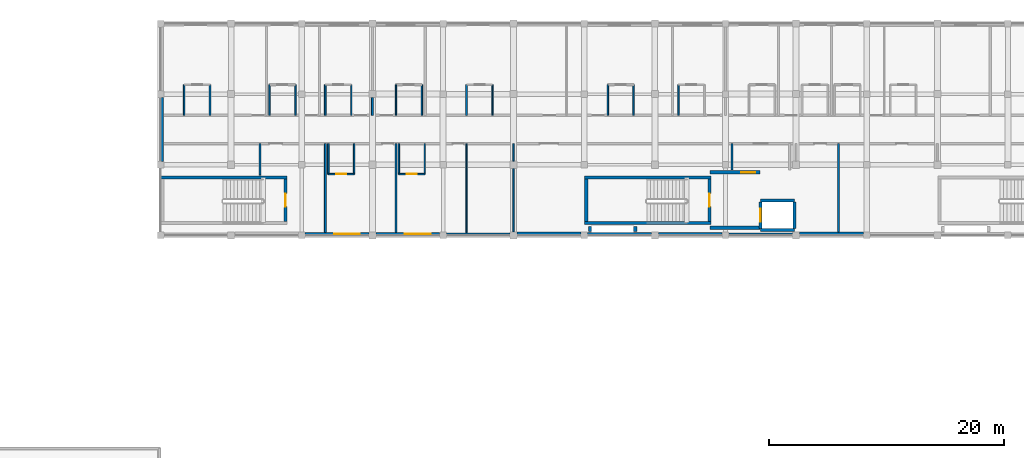
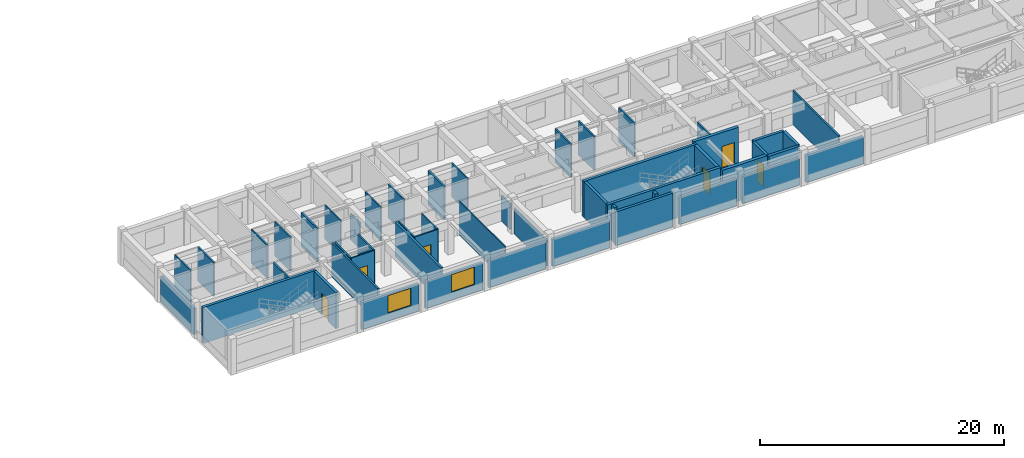
# One storey, part 6 of 25: 51 walls, 6 doors, 2 windows, 8 openings.
"""IFC4 building model written with IfcOpenShell, lengths in metres."""

import ifcopenshell
import ifcopenshell.guid

model = None  # the IFC model being written
_history = None  # IfcOwnerHistory: only IFC2X3 demands one
_inside = {}  # id of a spatial element -> (the spatial element, [elements in it])
_under = {}  # id of a project, library or spatial element -> (it, [spatial elements below it])
_declared = {}  # id of a project -> (the project, [libraries it declares])
_typed = {}  # id of a type object -> (the type object, [elements of that type])
_made_of = {}  # id of a material, layer set ... -> (it, [elements and type objects made of it])


def new_model(schema):
    """Start an empty IFC model of exactly this schema.

    Asked for "IFC4X3", IfcOpenShell would pick the latest addendum, in which some entities
    have other attributes; the version numbers below select the first issue.
    IFC2X3 requires an IfcOwnerHistory on every rooted entity: one is made here for all.
    """
    global model, _history
    if schema == "IFC4X3":
        model = ifcopenshell.file(schema_version=(4, 3, 0, 0))
    else:
        model = ifcopenshell.file(schema=schema)
    _inside.clear()
    _under.clear()
    _declared.clear()
    _typed.clear()
    _made_of.clear()
    _history = None
    if model.schema == "IFC2X3":
        org = make("IfcOrganization", Name="unknown")
        user = make(
            "IfcPersonAndOrganization",
            ThePerson=make("IfcPerson", FamilyName="unknown"),
            TheOrganization=org,
        )
        app = make(
            "IfcApplication",
            ApplicationDeveloper=org,
            Version="unknown",
            ApplicationFullName="unknown",
            ApplicationIdentifier="unknown",
        )
        _history = make(
            "IfcOwnerHistory",
            OwningUser=user,
            OwningApplication=app,
            ChangeAction="ADDED",
            CreationDate=0,
        )
    return model


def make(cls, **values):
    """One entity of the class cls with the attributes given. An attribute that is None is left unset."""
    return model.create_entity(
        cls, **{name: value for name, value in values.items() if value is not None}
    )


def rooted(cls, **values):
    """An entity with a GlobalId (a new one), such as an element, a storey or a relation."""
    return make(cls, GlobalId=ifcopenshell.guid.new(), OwnerHistory=_history, **values)


def si_unit(unit_type, name, prefix=None):
    """IfcSIUnit, for example si_unit("LENGTHUNIT", "METRE", prefix="MILLI")."""
    return make("IfcSIUnit", UnitType=unit_type, Prefix=prefix, Name=name)


def assignment(units):
    """IfcUnitAssignment: the units of a project."""
    return None if units is None else make("IfcUnitAssignment", Units=units)


def point(xyz):
    """IfcCartesianPoint."""
    return None if xyz is None else make("IfcCartesianPoint", Coordinates=xyz)


def direction(xyz):
    """IfcDirection."""
    return None if xyz is None else make("IfcDirection", DirectionRatios=xyz)


def frame(location, z_axis=None, x_axis=None):
    """IfcAxis2Placement3D, a coordinate frame: its origin and axes. An axis left out is left unset."""
    return make(
        "IfcAxis2Placement3D",
        Location=point(location),
        Axis=direction(z_axis),
        RefDirection=direction(x_axis),
    )


def frame_2d(location, x_axis=None):
    """IfcAxis2Placement2D, a coordinate frame in the plane: its origin and x axis."""
    return make(
        "IfcAxis2Placement2D", Location=point(location), RefDirection=direction(x_axis)
    )


def origin():
    """The frame at (0, 0, 0) with its axes left unset."""
    return frame((0.0, 0.0, 0.0))


def place(relative_to, where):
    """IfcLocalPlacement: puts the frame where relative to a parent placement (None: the world)."""
    return make(
        "IfcLocalPlacement", PlacementRelTo=relative_to, RelativePlacement=where
    )


def context(
    kind, dimensions, precision=None, world=None, true_north=None, identifier=None
):
    """IfcGeometricRepresentationContext, for example the 3D "Model" context."""
    return make(
        "IfcGeometricRepresentationContext",
        ContextIdentifier=identifier,
        ContextType=kind,
        CoordinateSpaceDimension=dimensions,
        Precision=precision,
        WorldCoordinateSystem=world,
        TrueNorth=true_north,
    )


def subcontext(parent, identifier, kind, view, scale=None):
    """IfcGeometricRepresentationSubContext, for example "Body" below "Model"."""
    return make(
        "IfcGeometricRepresentationSubContext",
        ContextIdentifier=identifier,
        ContextType=kind,
        ParentContext=parent,
        TargetScale=scale,
        TargetView=view,
    )


def project(units=None, contexts=None):
    """IfcProject with its units and contexts."""
    return rooted(
        "IfcProject",
        Name="project",
        RepresentationContexts=contexts,
        UnitsInContext=assignment(units),
    )


def spatial(cls, under=None, at=None, **own):
    """A site, building, storey or space (cls), placed at a placement, below another one or the project."""
    s = rooted(cls, ObjectPlacement=at, **own)
    if under is not None:
        _under.setdefault(under.id(), (under, []))[1].append(s)
    return s


def profile(cls, at=None, kind="AREA", **sizes):
    """A parametric profile (cls). Its sizes go by their IFC names, for example OverallWidth=200.0."""
    return make(cls, ProfileType=kind, Position=at, **sizes)


def rectangle(**sizes):
    """IfcRectangleProfileDef."""
    return profile("IfcRectangleProfileDef", **sizes)


def extrude(swept, where, along, depth):
    """IfcExtrudedAreaSolid: the profile swept, set in the frame where, extruded along a direction by depth."""
    return make(
        "IfcExtrudedAreaSolid",
        SweptArea=swept,
        Position=where,
        ExtrudedDirection=direction(along),
        Depth=depth,
    )


def shape(context_of_items, identifier, shape_type, items):
    """IfcShapeRepresentation: the items that make up one representation, for example the "Body"."""
    return make(
        "IfcShapeRepresentation",
        ContextOfItems=context_of_items,
        RepresentationIdentifier=identifier,
        RepresentationType=shape_type,
        Items=items,
    )


def material(Name=None, Category=None):
    """IfcMaterial."""
    return make("IfcMaterial", Name=Name, Category=Category)


def layer(
    of_material, thickness, ventilated=None, Name=None, Category=None, Priority=None
):
    """IfcMaterialLayer: one layer of a wall or slab, of a material (None: an air gap)."""
    return make(
        "IfcMaterialLayer",
        Material=of_material,
        LayerThickness=thickness,
        IsVentilated=ventilated,
        Name=Name,
        Category=Category,
        Priority=Priority,
    )


def layer_set(layers, Name=None):
    """IfcMaterialLayerSet."""
    return make("IfcMaterialLayerSet", MaterialLayers=layers, LayerSetName=Name)


def made_of(thing, what):
    """Note that an element or type object is made of a material, layer set ...; save() writes the relation."""
    if what is not None:
        _made_of.setdefault(what.id(), (what, []))[1].append(thing)
    return thing


def type_object(cls, material=None, **own):
    """A type object (cls), such as IfcWallType, which elements share."""
    return made_of(rooted(cls, **own), material)


def element(
    cls,
    number,
    at=None,
    inside=None,
    cuts=None,
    type_object=None,
    material=None,
    context=None,
    identifier="Body",
    shape_type=None,
    held_by="IfcProductDefinitionShape",
    body=None,
    shapes=None,
    **own,
):
    """One element of the class cls, such as IfcWall. Its Tag is "e" and its number.

    at: its placement. inside: the storey or other place that contains it. cuts: it is an
    opening in that element (IfcRelVoidsElement). A single representation is given by context,
    identifier, shape_type and body (its items); several are given by shapes. held_by: the class
    of the entity that holds the representations. save() writes the other relations.
    """
    e = rooted(cls, Tag="e%d" % number, ObjectPlacement=at, **own)
    if body is not None:
        shapes = [shape(context, identifier, shape_type, body)]
    if shapes is not None:
        e.Representation = make(held_by, Representations=shapes)
    if inside is not None:
        _inside.setdefault(inside.id(), (inside, []))[1].append(e)
    if cuts is not None:
        rooted(
            "IfcRelVoidsElement", RelatingBuildingElement=cuts, RelatedOpeningElement=e
        )
    if type_object is not None:
        _typed.setdefault(type_object.id(), (type_object, []))[1].append(e)
    return made_of(e, material)


def fill(opening, filler):
    """IfcRelFillsElement: the door or window that sits in an opening."""
    return rooted(
        "IfcRelFillsElement",
        RelatingOpeningElement=opening,
        RelatedBuildingElement=filler,
    )


def aggregate(whole, parts):
    """IfcRelAggregates: a whole, such as a stair, and the parts it consists of."""
    return rooted("IfcRelAggregates", RelatingObject=whole, RelatedObjects=parts)


def save(model, path):
    """Write the relations noted so far, then the file.

    IfcRelAggregates (storeys below a building ...), IfcRelContainedInSpatialStructure (elements
    in a storey), IfcRelDefinesByType, IfcRelAssociatesMaterial and IfcRelDeclares: one each for
    every whole, place, type object, material and project.
    """
    for whole, parts in _under.values():
        aggregate(whole, parts)
    for where, things in _inside.values():
        rooted(
            "IfcRelContainedInSpatialStructure",
            RelatedElements=things,
            RelatingStructure=where,
        )
    for kind, things in _typed.values():
        rooted("IfcRelDefinesByType", RelatedObjects=things, RelatingType=kind)
    for what, things in _made_of.values():
        rooted("IfcRelAssociatesMaterial", RelatedObjects=things, RelatingMaterial=what)
    for by, libraries in _declared.values():
        rooted("IfcRelDeclares", RelatingContext=by, RelatedDefinitions=libraries)
    model.write(path)


model = new_model("IFC4")

# Units and contexts
model_context = context("Model", 3, precision=1e-05, world=origin(), true_north=direction((0.0, 1.0)))
body_context = subcontext(model_context, "Body", "Model", "MODEL_VIEW")
ifc_project = project(units=[si_unit("LENGTHUNIT", "METRE"), si_unit("AREAUNIT", "SQUARE_METRE"), si_unit("VOLUMEUNIT", "CUBIC_METRE"), si_unit("PLANEANGLEUNIT", "RADIAN"), si_unit("MASSUNIT", "GRAM", prefix="KILO"), si_unit("THERMODYNAMICTEMPERATUREUNIT", "KELVIN"), si_unit("POWERUNIT", "WATT")], contexts=[model_context])

# Site, building, storey
site_placement = place(None, origin())
site = spatial("IfcSite", under=ifc_project, at=site_placement, CompositionType="ELEMENT")
building_placement = place(site_placement, origin())
building = spatial("IfcBuilding", under=site, at=building_placement, Name="Phaisarnlok Congress Hotel", CompositionType="ELEMENT")
storey_placement = place(building_placement, frame((0.0, 0.0, 24.60009765625)))
storey = spatial("IfcBuildingStorey", under=building, at=storey_placement, Name="L05", CompositionType="ELEMENT", Elevation=24.60009765625)

# Walls
ifc_material_1 = material(Name="Concrete C40/50", Category="concrete")
ifc_layer_1 = layer(ifc_material_1, 0.2099609375, Name="Concrete C40/50")
ifc_layer_set_1 = layer_set([ifc_layer_1], Name="Concrete C40/50")
wall_type_1 = type_object("IfcWallType", Name="WL-EXT-210", PredefinedType="SOLIDWALL", material=ifc_layer_set_1)
for number, where, z_axis, x_axis, name in (
    (1, (90.280029296875, 108.10498046875, 0.0), (0.0, 0.0, 1.0), (1.0, 0.0, 0.0), "Exterior wall EW-07 (L05)"),
    (2, (114.280029296875, 108.10498046875, 0.0), (0.0, 0.0, 1.0), (1.0, 0.0, 0.0), "Exterior wall EW-07 (L05)"),
):
    element("IfcWall", number, at=place(storey_placement, frame(where, z_axis=z_axis, x_axis=x_axis)), inside=storey, type_object=wall_type_1, Name=name, PredefinedType="SOLIDWALL", context=body_context, shape_type="SweptSolid", body=[
        extrude(rectangle(XDim=5.4150390625, YDim=0.2099609375, at=frame_2d((2.70751953125, 0.0))), origin(), (0.0, 0.0, 1.0), 2.72998046875),
    ])

# Wall, opening, window
ifc_layer_2 = layer(ifc_material_1, 0.22998046875, Name="Concrete C40/50")
ifc_layer_set_2 = layer_set([ifc_layer_2], Name="Concrete C40/50")
wall_type_2 = type_object("IfcWallType", Name="WL-EXT-230", PredefinedType="SOLIDWALL", material=ifc_layer_set_2)
wall_1_placement = place(storey_placement, frame((84.304931640625, 108.114990234375, 0.0), z_axis=(0.0, 0.0, 1.0), x_axis=(1.0, 0.0, 0.0)))
wall_1 = element("IfcWall", 3, at=wall_1_placement, inside=storey, type_object=wall_type_2, Name="Exterior wall EW-06 (L05)", PredefinedType="SOLIDWALL", context=body_context, shape_type="SweptSolid", body=[
    extrude(rectangle(XDim=5.4150390625, YDim=0.22998046875, at=frame_2d((2.70751953125, 0.0))), origin(), (0.0, 0.0, 1.0), 2.72998046875),
])
opening_1_placement = place(wall_1_placement, frame((2.445068359375, 0.0, 0.800048828125)))
opening_1 = element("IfcOpeningElement", 4, at=opening_1_placement, cuts=wall_1, Name="Opening W-02", PredefinedType="OPENING", context=body_context, shape_type="SweptSolid", body=[
    extrude(rectangle(XDim=2.199951171875, YDim=1.75, at=frame_2d((1.10009765625, 0.875))), frame((0.0, 0.125, 0.0), z_axis=(0.0, -1.0, 0.0), x_axis=(1.0, 0.0, 0.0)), (0.0, 0.0, 1.0), 0.25),
])
ifc_material_2 = material(Name="Thermally Broken Aluminium & Low-E Double Glazing", Category="aluminium")
window_type = type_object("IfcWindowType", Name="WIN-HOTEL-2200", PartitioningType="SINGLE_PANEL", PredefinedType="WINDOW", material=ifc_material_2)
window_1_placement = place(opening_1_placement, origin())
window_1 = element("IfcWindow", 5, at=window_1_placement, inside=storey, type_object=window_type, Name="Guestroom window W-02 (L05)", OverallHeight=1.75, OverallWidth=2.199951171875, PartitioningType="SINGLE_PANEL", PredefinedType="WINDOW", context=body_context, shape_type="SweptSolid", body=[
    extrude(rectangle(XDim=2.199951171875, YDim=1.75, at=frame_2d((1.10009765625, 0.875))), frame((0.0, 0.030029296875, 0.0), z_axis=(0.0, -1.0, 0.0), x_axis=(1.0, 0.0, 0.0)), (0.0, 0.0, 1.0), 0.06005859375),
])
fill(opening_1, window_1)

# Walls
wall_2_placement = place(storey_placement, frame((108.304931640625, 108.114990234375, 0.0), z_axis=(0.0, 0.0, 1.0), x_axis=(1.0, 0.0, 0.0)))
element("IfcWall", 6, at=wall_2_placement, inside=storey, type_object=wall_type_2, Name="Exterior wall EW-06 (L05)", PredefinedType="SOLIDWALL", context=body_context, shape_type="SweptSolid", body=[
    extrude(rectangle(XDim=5.4150390625, YDim=0.22998046875, at=frame_2d((2.70751953125, 0.0))), origin(), (0.0, 0.0, 1.0), 2.72998046875),
])
ifc_layer_3 = layer(ifc_material_1, 0.25, Name="Concrete C40/50")
ifc_layer_set_3 = layer_set([ifc_layer_3], Name="Concrete C40/50")
wall_type_3 = type_object("IfcWallType", Name="WL-EXT-250", PredefinedType="SOLIDWALL", material=ifc_layer_set_3)
wall_3_placement = place(storey_placement, frame((66.125, 119.719970703125, 0.0), z_axis=(0.0, 0.0, 1.0), x_axis=(0.0, -1.0, 0.0)))
element("IfcWall", 7, at=wall_3_placement, inside=storey, type_object=wall_type_3, Name="Exterior wall EW-05 (L05)", PredefinedType="SOLIDWALL", context=body_context, shape_type="SweptSolid", body=[
    extrude(rectangle(XDim=5.43994140625, YDim=0.25, at=frame_2d((2.719970703125, 0.0))), origin(), (0.0, 0.0, 1.0), 2.579833984375),
])

# Wall, opening, window
wall_4_placement = place(storey_placement, frame((78.280029296875, 108.125, 0.0), z_axis=(0.0, 0.0, 1.0), x_axis=(1.0, 0.0, 0.0)))
wall_4 = element("IfcWall", 8, at=wall_4_placement, inside=storey, type_object=wall_type_3, Name="Exterior wall EW-05 (L05)", PredefinedType="SOLIDWALL", context=body_context, shape_type="SweptSolid", body=[
    extrude(rectangle(XDim=5.4150390625, YDim=0.25, at=frame_2d((2.70751953125, 0.0))), origin(), (0.0, 0.0, 1.0), 2.72998046875),
])
opening_2_placement = place(wall_4_placement, frame((2.4580078125, 0.0, 0.800048828125)))
opening_2 = element("IfcOpeningElement", 9, at=opening_2_placement, cuts=wall_4, Name="Opening W-02", PredefinedType="OPENING", context=body_context, shape_type="SweptSolid", body=[
    extrude(rectangle(XDim=2.199951171875, YDim=1.75, at=frame_2d((1.10009765625, 0.875))), frame((0.0, 0.135009765625, 0.0), z_axis=(0.0, -1.0, 0.0), x_axis=(1.0, 0.0, 0.0)), (0.0, 0.0, 1.0), 0.27001953125),
])
window_2_placement = place(opening_2_placement, origin())
window_2 = element("IfcWindow", 10, at=window_2_placement, inside=storey, type_object=window_type, Name="Guestroom window W-02 (L05)", OverallHeight=1.75, OverallWidth=2.199951171875, PartitioningType="SINGLE_PANEL", PredefinedType="WINDOW", context=body_context, shape_type="SweptSolid", body=[
    extrude(rectangle(XDim=2.199951171875, YDim=1.75, at=frame_2d((1.10009765625, 0.875))), frame((0.0, 0.030029296875, 0.0), z_axis=(0.0, -1.0, 0.0), x_axis=(1.0, 0.0, 0.0)), (0.0, 0.0, 1.0), 0.06005859375),
])
fill(opening_2, window_2)

# Walls
wall_5_placement = place(storey_placement, frame((102.280029296875, 108.125, 0.0), z_axis=(0.0, 0.0, 1.0), x_axis=(1.0, 0.0, 0.0)))
element("IfcWall", 11, at=wall_5_placement, inside=storey, type_object=wall_type_3, Name="Exterior wall EW-05 (L05)", PredefinedType="SOLIDWALL", context=body_context, shape_type="SweptSolid", body=[
    extrude(rectangle(XDim=5.4150390625, YDim=0.25, at=frame_2d((2.70751953125, 0.0))), origin(), (0.0, 0.0, 1.0), 3.3798828125),
])
ifc_layer_4 = layer(ifc_material_1, 0.27001953125, Name="Concrete C40/50")
ifc_layer_set_4 = layer_set([ifc_layer_4], Name="Concrete C40/50")
wall_type_4 = type_object("IfcWallType", Name="WL-EXT-270", PredefinedType="SOLIDWALL", material=ifc_layer_set_4)
for number, where, z_axis, x_axis, name in (
    (12, (96.304931640625, 108.135009765625, 0.0), (0.0, 0.0, 1.0), (1.0, 0.0, 0.0), "Exterior wall EW-04 (L05)"),
    (13, (120.304931640625, 108.135009765625, 0.0), (0.0, 0.0, 1.0), (1.0, 0.0, 0.0), "Exterior wall EW-04 (L05)"),
):
    element("IfcWall", number, at=place(storey_placement, frame(where, z_axis=z_axis, x_axis=x_axis)), inside=storey, type_object=wall_type_4, Name=name, PredefinedType="SOLIDWALL", context=body_context, shape_type="SweptSolid", body=[
        extrude(rectangle(XDim=5.4150390625, YDim=0.27001953125, at=frame_2d((2.70751953125, 0.0))), origin(), (0.0, 0.0, 1.0), 2.72998046875),
    ])
ifc_material_3 = material(Name="Service Riser Shaftwall Partition", Category="gypsum")
ifc_layer_5 = layer(ifc_material_3, 0.10498046875, Name="Service Riser Shaftwall Partition")
ifc_layer_set_5 = layer_set([ifc_layer_5], Name="Service Riser Shaftwall Partition")
wall_type_5 = type_object("IfcWallType", Name="WL-INT-105", PredefinedType="PARTITIONING", material=ifc_layer_set_5)
wall_6_placement = place(storey_placement, frame((86.0, 118.199951171875, 0.0), z_axis=(0.0, 0.0, 1.0), x_axis=(0.0, 1.0, 0.0)))
element("IfcWall", 14, at=wall_6_placement, inside=storey, type_object=wall_type_5, Name="Interior partition wall IW-08 (L05)", PredefinedType="PARTITIONING", context=body_context, shape_type="SweptSolid", body=[
    extrude(rectangle(XDim=2.60009765625, YDim=0.10498046875, at=frame_2d((1.300048828125, 0.0))), origin(), (0.0, 0.0, 1.0), 3.3798828125),
])
wall_7_placement = place(storey_placement, frame((92.0, 108.215087890625, 0.0), z_axis=(0.0, 0.0, 1.0), x_axis=(0.0, 1.0, 0.0)))
element("IfcWall", 15, at=wall_7_placement, inside=storey, type_object=wall_type_5, Name="Interior partition wall IW-08 (L05)", PredefinedType="PARTITIONING", context=body_context, shape_type="SweptSolid", body=[
    extrude(rectangle(XDim=7.5849609375, YDim=0.10498046875, at=frame_2d((3.79248046875, 0.0))), origin(), (0.0, 0.0, 1.0), 3.3798828125),
])
ifc_material_4 = material(Name="Lightweight Metal-Stud Gypsum Partition", Category="gypsum")
ifc_layer_6 = layer(ifc_material_4, 0.1201171875, Name="Lightweight Metal-Stud Gypsum Partition")
ifc_layer_set_6 = layer_set([ifc_layer_6], Name="Lightweight Metal-Stud Gypsum Partition")
wall_type_6 = type_object("IfcWallType", Name="WL-INT-120", PredefinedType="PARTITIONING", material=ifc_layer_set_6)
for number, where, z_axis, x_axis, name in (
    (16, (68.0, 118.199951171875, 0.0), (0.0, 0.0, 1.0), (0.0, 1.0, 0.0), "Interior partition wall IW-07 (L05)"),
    (17, (75.25, 118.199951171875, 0.0), (0.0, 0.0, 1.0), (0.0, 1.0, 0.0), "Interior partition wall IW-07 (L05)"),
    (18, (82.199951171875, 118.199951171875, 0.0), (0.0, 0.0, 1.0), (0.0, 1.0, 0.0), "Interior partition wall IW-07 (L05)"),
    (19, (86.25, 113.199951171875, 0.0), (0.0, 0.0, 1.0), (0.0, 1.0, 0.0), "Interior partition wall IW-07 (L05)"),
    (20, (88.449951171875, 113.199951171875, 0.0), (0.0, 0.0, 1.0), (0.0, 1.0, 0.0), "Interior partition wall IW-07 (L05)"),
    (21, (94.199951171875, 118.199951171875, 0.0), (0.0, 0.0, 1.0), (0.0, 1.0, 0.0), "Interior partition wall IW-07 (L05)"),
):
    element("IfcWall", number, at=place(storey_placement, frame(where, z_axis=z_axis, x_axis=x_axis)), inside=storey, type_object=wall_type_6, Name=name, PredefinedType="PARTITIONING", context=body_context, shape_type="SweptSolid", body=[
        extrude(rectangle(XDim=2.60009765625, YDim=0.1201171875, at=frame_2d((1.300048828125, 0.0))), origin(), (0.0, 0.0, 1.0), 3.3798828125),
    ])
wall_8_placement = place(storey_placement, frame((96.0, 114.304931640625, 0.0), z_axis=(0.0, 0.0, 1.0), x_axis=(0.0, 1.0, 0.0)))
element("IfcWall", 22, at=wall_8_placement, inside=storey, type_object=wall_type_6, Name="Interior partition wall IW-07 (L05)", PredefinedType="PARTITIONING", context=body_context, shape_type="SweptSolid", body=[
    extrude(rectangle(XDim=1.4951171875, YDim=0.1201171875, at=frame_2d((0.74755859375, 0.0))), origin(), (0.0, 0.0, 1.0), 2.579833984375),
])
wall_9_placement = place(storey_placement, frame((104.0, 118.199951171875, 0.0), z_axis=(0.0, 0.0, 1.0), x_axis=(0.0, 1.0, 0.0)))
element("IfcWall", 23, at=wall_9_placement, inside=storey, type_object=wall_type_6, Name="Interior partition wall IW-07 (L05)", PredefinedType="PARTITIONING", context=body_context, shape_type="SweptSolid", body=[
    extrude(rectangle(XDim=2.60009765625, YDim=0.1201171875, at=frame_2d((1.300048828125, 0.0))), origin(), (0.0, 0.0, 1.0), 3.3798828125),
])

# Wall, opening, door
wall_10_placement = place(storey_placement, frame((80.25, 113.199951171875, 0.0), z_axis=(0.0, 0.0, 1.0), x_axis=(1.0, 0.0, 0.0)))
wall_10 = element("IfcWall", 24, at=wall_10_placement, inside=storey, type_object=wall_type_6, Name="Interior partition wall IW-07 (L05)", PredefinedType="PARTITIONING", context=body_context, shape_type="SweptSolid", body=[
    extrude(rectangle(XDim=2.199951171875, YDim=0.1201171875, at=frame_2d((1.10009765625, 0.0))), origin(), (0.0, 0.0, 1.0), 3.3798828125),
])
opening_3_placement = place(wall_10_placement, frame((0.675048828125, 0.0, 0.0)))
opening_3 = element("IfcOpeningElement", 25, at=opening_3_placement, cuts=wall_10, Name="Opening D-0181", PredefinedType="OPENING", context=body_context, shape_type="SweptSolid", body=[
    extrude(rectangle(XDim=0.85009765625, YDim=2.10009765625, at=frame_2d((0.425048828125, 1.050048828125))), frame((0.0, 0.070068359375, 0.0), z_axis=(0.0, -1.0, 0.0), x_axis=(1.0, 0.0, 0.0)), (0.0, 0.0, 1.0), 0.14013671875),
])
ifc_material_5 = material(Name="Moisture-Resistant Lacquered Timber", Category="wood")
door_type_1 = type_object("IfcDoorType", Name="DR-BATH-850", OperationType="NOTDEFINED", PredefinedType="DOOR", material=ifc_material_5)
door_1_placement = place(opening_3_placement, origin())
door_1 = element("IfcDoor", 26, at=door_1_placement, inside=storey, type_object=door_type_1, Name="Interior door D-0181 (L05)", OperationType="SINGLE_SWING_LEFT", OverallHeight=2.10009765625, OverallWidth=0.85009765625, PredefinedType="DOOR", context=body_context, shape_type="SweptSolid", body=[
    extrude(rectangle(XDim=0.85009765625, YDim=2.10009765625, at=frame_2d((0.425048828125, 1.050048828125))), frame((0.0, 0.02490234375, 0.0), z_axis=(0.0, -1.0, 0.0), x_axis=(1.0, 0.0, 0.0)), (0.0, 0.0, 1.0), 0.050048828125),
])
fill(opening_3, door_1)

# Walls
ifc_material_6 = material(Name="Moisture-Resistant Gypsum Partition", Category="gypsum")
ifc_layer_7 = layer(ifc_material_6, 0.135009765625, Name="Moisture-Resistant Gypsum Partition")
ifc_layer_set_7 = layer_set([ifc_layer_7], Name="Moisture-Resistant Gypsum Partition")
wall_type_7 = type_object("IfcWallType", Name="WL-INT-135", PredefinedType="PARTITIONING", material=ifc_layer_set_7)
for number, where, z_axis, x_axis, name in (
    (27, (70.199951171875, 118.199951171875, 0.0), (0.0, 0.0, 1.0), (0.0, 1.0, 0.0), "Interior partition wall IW-06 (L05)"),
    (28, (77.449951171875, 118.199951171875, 0.0), (0.0, 0.0, 1.0), (0.0, 1.0, 0.0), "Interior partition wall IW-06 (L05)"),
    (29, (80.25, 113.199951171875, 0.0), (0.0, 0.0, 1.0), (0.0, 1.0, 0.0), "Interior partition wall IW-06 (L05)"),
    (30, (82.449951171875, 113.199951171875, 0.0), (0.0, 0.0, 1.0), (0.0, 1.0, 0.0), "Interior partition wall IW-06 (L05)"),
    (31, (88.199951171875, 118.199951171875, 0.0), (0.0, 0.0, 1.0), (0.0, 1.0, 0.0), "Interior partition wall IW-06 (L05)"),
):
    element("IfcWall", number, at=place(storey_placement, frame(where, z_axis=z_axis, x_axis=x_axis)), inside=storey, type_object=wall_type_7, Name=name, PredefinedType="PARTITIONING", context=body_context, shape_type="SweptSolid", body=[
        extrude(rectangle(XDim=2.60009765625, YDim=0.135009765625, at=frame_2d((1.300048828125, 0.0))), origin(), (0.0, 0.0, 1.0), 3.3798828125),
    ])
wall_11_placement = place(storey_placement, frame((96.0, 108.304931640625, 0.0), z_axis=(0.0, 0.0, 1.0), x_axis=(0.0, 1.0, 0.0)))
element("IfcWall", 32, at=wall_11_placement, inside=storey, type_object=wall_type_7, Name="Interior partition wall IW-06 (L05)", PredefinedType="PARTITIONING", context=body_context, shape_type="SweptSolid", body=[
    extrude(rectangle(XDim=5.39013671875, YDim=0.135009765625, at=frame_2d((2.695068359375, 0.0))), origin(), (0.0, 0.0, 1.0), 2.579833984375),
])
for number, where, z_axis, x_axis, name in (
    (33, (106.199951171875, 118.199951171875, 0.0), (0.0, 0.0, 1.0), (0.0, 1.0, 0.0), "Interior partition wall IW-06 (L05)"),
    (34, (110.0, 118.199951171875, 0.0), (0.0, 0.0, 1.0), (0.0, 1.0, 0.0), "Interior partition wall IW-06 (L05)"),
):
    element("IfcWall", number, at=place(storey_placement, frame(where, z_axis=z_axis, x_axis=x_axis)), inside=storey, type_object=wall_type_7, Name=name, PredefinedType="PARTITIONING", context=body_context, shape_type="SweptSolid", body=[
        extrude(rectangle(XDim=2.60009765625, YDim=0.135009765625, at=frame_2d((1.300048828125, 0.0))), origin(), (0.0, 0.0, 1.0), 3.3798828125),
    ])

# Wall, opening, door
wall_12_placement = place(storey_placement, frame((86.25, 113.199951171875, 0.0), z_axis=(0.0, 0.0, 1.0), x_axis=(1.0, 0.0, 0.0)))
wall_12 = element("IfcWall", 35, at=wall_12_placement, inside=storey, type_object=wall_type_7, Name="Interior partition wall IW-06 (L05)", PredefinedType="PARTITIONING", context=body_context, shape_type="SweptSolid", body=[
    extrude(rectangle(XDim=2.199951171875, YDim=0.135009765625, at=frame_2d((1.10009765625, 0.0))), origin(), (0.0, 0.0, 1.0), 3.3798828125),
])
opening_4_placement = place(wall_12_placement, frame((0.675048828125, 0.0, 0.0)))
opening_4 = element("IfcOpeningElement", 36, at=opening_4_placement, cuts=wall_12, Name="Opening D-0183", PredefinedType="OPENING", context=body_context, shape_type="SweptSolid", body=[
    extrude(rectangle(XDim=0.85009765625, YDim=2.10009765625, at=frame_2d((0.425048828125, 1.050048828125))), frame((0.0, 0.07763671875, 0.0), z_axis=(0.0, -1.0, 0.0), x_axis=(1.0, 0.0, 0.0)), (0.0, 0.0, 1.0), 0.155029296875),
])
door_2_placement = place(opening_4_placement, origin())
door_2 = element("IfcDoor", 37, at=door_2_placement, inside=storey, type_object=door_type_1, Name="Interior door D-0183 (L05)", OperationType="SINGLE_SWING_LEFT", OverallHeight=2.10009765625, OverallWidth=0.85009765625, PredefinedType="DOOR", context=body_context, shape_type="SweptSolid", body=[
    extrude(rectangle(XDim=0.85009765625, YDim=2.10009765625, at=frame_2d((0.425048828125, 1.050048828125))), frame((0.0, 0.02490234375, 0.0), z_axis=(0.0, -1.0, 0.0), x_axis=(1.0, 0.0, 0.0)), (0.0, 0.0, 1.0), 0.050048828125),
])
fill(opening_4, door_2)

# Walls
ifc_material_7 = material(Name="Acoustic Gypsum Board & Mineral Wool", Category="gypsum")
ifc_layer_8 = layer(ifc_material_7, 0.14990234375, Name="Acoustic Gypsum Board & Mineral Wool")
ifc_layer_set_8 = layer_set([ifc_layer_8], Name="Acoustic Gypsum Board & Mineral Wool")
wall_type_8 = type_object("IfcWallType", Name="WL-INT-150", PredefinedType="PARTITIONING", material=ifc_layer_set_8)
wall_13_placement = place(storey_placement, frame((80.0, 118.199951171875, 0.0), z_axis=(0.0, 0.0, 1.0), x_axis=(0.0, 1.0, 0.0)))
element("IfcWall", 38, at=wall_13_placement, inside=storey, type_object=wall_type_8, Name="Interior partition wall IW-05 (L05)", PredefinedType="PARTITIONING", context=body_context, shape_type="SweptSolid", body=[
    extrude(rectangle(XDim=2.60009765625, YDim=0.14990234375, at=frame_2d((1.300048828125, 0.0))), origin(), (0.0, 0.0, 1.0), 3.3798828125),
])
wall_14_placement = place(storey_placement, frame((114.550048828125, 113.56005859375, 0.0), z_axis=(0.0, 0.0, 1.0), x_axis=(0.0, 1.0, 0.0)))
element("IfcWall", 39, at=wall_14_placement, inside=storey, type_object=wall_type_8, Name="Interior partition wall IW-05 (L05)", PredefinedType="PARTITIONING", context=body_context, shape_type="SweptSolid", body=[
    extrude(rectangle(XDim=2.239990234375, YDim=0.14990234375, at=frame_2d((1.1201171875, 0.0))), origin(), (0.0, 0.0, 1.0), 3.3798828125),
])
wall_15_placement = place(storey_placement, frame((123.60009765625, 108.27490234375, 0.0), z_axis=(0.0, 0.0, 1.0), x_axis=(0.0, 1.0, 0.0)))
element("IfcWall", 40, at=wall_15_placement, inside=storey, type_object=wall_type_8, Name="Interior partition wall IW-05 (L05)", PredefinedType="PARTITIONING", context=body_context, shape_type="SweptSolid", body=[
    extrude(rectangle(XDim=7.525146484375, YDim=0.14990234375, at=frame_2d((3.7626953125, 0.0))), origin(), (0.0, 0.0, 1.0), 3.3798828125),
])
ifc_material_8 = material(Name="Double-Stud Acoustic Gypsum Partition", Category="gypsum")
ifc_layer_9 = layer(ifc_material_8, 0.159912109375, Name="Double-Stud Acoustic Gypsum Partition")
ifc_layer_set_9 = layer_set([ifc_layer_9], Name="Double-Stud Acoustic Gypsum Partition")
wall_type_9 = type_object("IfcWallType", Name="WL-INT-160", PredefinedType="PARTITIONING", material=ifc_layer_set_9)
wall_16_placement = place(storey_placement, frame((74.449951171875, 113.1201171875, 0.0), z_axis=(0.0, 0.0, 1.0), x_axis=(0.0, 1.0, 0.0)))
element("IfcWall", 41, at=wall_16_placement, inside=storey, type_object=wall_type_9, Name="Interior partition wall IW-04 (L05)", PredefinedType="PARTITIONING", context=body_context, shape_type="SweptSolid", body=[
    extrude(rectangle(XDim=2.679931640625, YDim=0.159912109375, at=frame_2d((1.33984375, 0.0))), origin(), (0.0, 0.0, 1.0), 3.3798828125),
])
wall_17_placement = place(storey_placement, frame((80.0, 108.2548828125, 0.0), z_axis=(0.0, 0.0, 1.0), x_axis=(0.0, 1.0, 0.0)))
element("IfcWall", 42, at=wall_17_placement, inside=storey, type_object=wall_type_9, Name="Interior partition wall IW-04 (L05)", PredefinedType="PARTITIONING", context=body_context, shape_type="SweptSolid", body=[
    extrude(rectangle(XDim=7.545166015625, YDim=0.159912109375, at=frame_2d((3.7724609375, 0.0))), origin(), (0.0, 0.0, 1.0), 3.3798828125),
])
wall_18_placement = place(storey_placement, frame((84.0, 118.199951171875, 0.0), z_axis=(0.0, 0.0, 1.0), x_axis=(0.0, 1.0, 0.0)))
element("IfcWall", 43, at=wall_18_placement, inside=storey, type_object=wall_type_9, Name="Interior partition wall IW-04 (L05)", PredefinedType="PARTITIONING", context=body_context, shape_type="SweptSolid", body=[
    extrude(rectangle(XDim=1.4951171875, YDim=0.159912109375, at=frame_2d((0.74755859375, 0.0))), origin(), (0.0, 0.0, 1.0), 2.579833984375),
])
ifc_material_9 = material(Name="Autoclaved Aerated Concrete Block", Category="concrete")
ifc_layer_10 = layer(ifc_material_9, 0.179931640625, Name="Autoclaved Aerated Concrete Block")
ifc_layer_set_10 = layer_set([ifc_layer_10], Name="Autoclaved Aerated Concrete Block")
wall_type_10 = type_object("IfcWallType", Name="WL-INT-180", PredefinedType="PARTITIONING", material=ifc_layer_set_10)
wall_19_placement = place(storey_placement, frame((92.0, 118.199951171875, 0.0), z_axis=(0.0, 0.0, 1.0), x_axis=(0.0, 1.0, 0.0)))
element("IfcWall", 44, at=wall_19_placement, inside=storey, type_object=wall_type_10, Name="Interior partition wall IW-03 (L05)", PredefinedType="PARTITIONING", context=body_context, shape_type="SweptSolid", body=[
    extrude(rectangle(XDim=2.60009765625, YDim=0.179931640625, at=frame_2d((1.300048828125, 0.0))), origin(), (0.0, 0.0, 1.0), 3.3798828125),
])
ifc_layer_11 = layer(ifc_material_9, 0.199951171875, Name="Autoclaved Aerated Concrete Block")
ifc_layer_set_11 = layer_set([ifc_layer_11], Name="Autoclaved Aerated Concrete Block")
wall_type_11 = type_object("IfcWallType", Name="WL-INT-200", PredefinedType="PARTITIONING", material=ifc_layer_set_11)
wall_20_placement = place(storey_placement, frame((86.0, 108.235107421875, 0.0), z_axis=(0.0, 0.0, 1.0), x_axis=(0.0, 1.0, 0.0)))
element("IfcWall", 45, at=wall_20_placement, inside=storey, type_object=wall_type_11, Name="Interior partition wall IW-02 (L05)", PredefinedType="PARTITIONING", context=body_context, shape_type="SweptSolid", body=[
    extrude(rectangle(XDim=7.56494140625, YDim=0.199951171875, at=frame_2d((3.782470703125, 0.0))), origin(), (0.0, 0.0, 1.0), 3.3798828125),
])
ifc_material_10 = material(Name="Concrete C50/60", Category="concrete")
ifc_layer_12 = layer(ifc_material_10, 0.260009765625, Name="Concrete C50/60")
ifc_layer_set_12 = layer_set([ifc_layer_12], Name="Concrete C50/60")
wall_type_12 = type_object("IfcWallType", Name="WL-SHR-260", PredefinedType="SHEAR", material=ifc_layer_set_12)
for number, where, z_axis, x_axis, name in (
    (46, (102.0400390625, 109.070068359375, 0.0), (0.0, 0.0, 1.0), (1.0, 0.0, 0.0), "Stair shaft shear wall SW-04 (CORE-4 L05)"),
    (47, (102.0400390625, 112.929931640625, 0.0), (0.0, 0.0, 1.0), (1.0, 0.0, 0.0), "Stair shaft shear wall SW-04 (CORE-4 L05)"),
):
    element("IfcWall", number, at=place(storey_placement, frame(where, z_axis=z_axis, x_axis=x_axis)), inside=storey, type_object=wall_type_12, Name=name, PredefinedType="SHEAR", context=body_context, shape_type="SweptSolid", body=[
        extrude(rectangle(XDim=10.719970703125, YDim=0.260009765625, at=frame_2d((5.35986328125, 0.0))), origin(), (0.0, 0.0, 1.0), 3.599853515625),
    ])
wall_21_placement = place(storey_placement, frame((102.169921875, 109.199951171875, 0.0), z_axis=(0.0, 0.0, 1.0), x_axis=(0.0, 1.0, 0.0)))
element("IfcWall", 48, at=wall_21_placement, inside=storey, type_object=wall_type_12, Name="Stair shaft shear wall SW-04 (CORE-4 L05)", PredefinedType="SHEAR", context=body_context, shape_type="SweptSolid", body=[
    extrude(rectangle(XDim=3.60009765625, YDim=0.260009765625, at=frame_2d((1.800048828125, 0.0))), origin(), (0.0, 0.0, 1.0), 3.599853515625),
])

# Wall, opening, door
wall_22_placement = place(storey_placement, frame((112.6298828125, 109.199951171875, 0.0), z_axis=(0.0, 0.0, 1.0), x_axis=(0.0, 1.0, 0.0)))
wall_22 = element("IfcWall", 49, at=wall_22_placement, inside=storey, type_object=wall_type_12, Name="Stair shaft shear wall SW-04 (CORE-4 L05)", PredefinedType="SHEAR", context=body_context, shape_type="SweptSolid", body=[
    extrude(rectangle(XDim=3.60009765625, YDim=0.260009765625, at=frame_2d((1.800048828125, 0.0))), origin(), (0.0, 0.0, 1.0), 3.599853515625),
])
opening_5_placement = place(wall_22_placement, frame((1.25, 0.0, 0.0)))
opening_5 = element("IfcOpeningElement", 50, at=opening_5_placement, cuts=wall_22, Name="Opening FD-097", PredefinedType="OPENING", context=body_context, shape_type="SweptSolid", body=[
    extrude(rectangle(XDim=1.10009765625, YDim=2.14990234375, at=frame_2d((0.550048828125, 1.074951171875))), frame((0.0, 0.14013671875, 0.0), z_axis=(0.0, -1.0, 0.0), x_axis=(1.0, 0.0, 0.0)), (0.0, 0.0, 1.0), 0.280029296875),
])
ifc_material_11 = material(Name="Fire-Rated Steel Frame & Timber Leaf", Category="steel")
door_type_2 = type_object("IfcDoorType", Name="DR-FD60-1100", OperationType="NOTDEFINED", PredefinedType="DOOR", material=ifc_material_11)
door_3_placement = place(opening_5_placement, origin())
door_3 = element("IfcDoor", 51, at=door_3_placement, inside=storey, type_object=door_type_2, Name="Stair enclosure fire door FD-097 (L05)", OperationType="SINGLE_SWING_RIGHT", OverallHeight=2.14990234375, OverallWidth=1.10009765625, PredefinedType="DOOR", context=body_context, shape_type="SweptSolid", body=[
    extrude(rectangle(XDim=1.10009765625, YDim=2.14990234375, at=frame_2d((0.550048828125, 1.074951171875))), frame((0.0, 0.02490234375, 0.0), z_axis=(0.0, -1.0, 0.0), x_axis=(1.0, 0.0, 0.0)), (0.0, 0.0, 1.0), 0.050048828125),
])
fill(opening_5, door_3)

# Walls
for number, where, z_axis, x_axis, name in (
    (52, (116.969970703125, 108.469970703125, 0.0), (0.0, 0.0, 1.0), (1.0, 0.0, 0.0), "Lift shaft shear wall SW-04 (LF-HP4 L05)"),
    (53, (116.969970703125, 110.97998046875, 0.0), (0.0, 0.0, 1.0), (1.0, 0.0, 0.0), "Lift shaft shear wall SW-04 (LF-HP4 L05)"),
):
    element("IfcWall", number, at=place(storey_placement, frame(where, z_axis=z_axis, x_axis=x_axis)), inside=storey, type_object=wall_type_12, Name=name, PredefinedType="SHEAR", context=body_context, shape_type="SweptSolid", body=[
        extrude(rectangle(XDim=2.909912109375, YDim=0.260009765625, at=frame_2d((1.455078125, 0.0))), origin(), (0.0, 0.0, 1.0), 3.599853515625),
    ])
wall_23_placement = place(storey_placement, frame((119.8798828125, 108.60009765625, 0.0), z_axis=(0.0, 0.0, 1.0), x_axis=(0.0, 1.0, 0.0)))
element("IfcWall", 54, at=wall_23_placement, inside=storey, type_object=wall_type_12, Name="Lift shaft shear wall SW-04 (LF-HP4 L05)", PredefinedType="SHEAR", context=body_context, shape_type="SweptSolid", body=[
    extrude(rectangle(XDim=2.25, YDim=0.260009765625, at=frame_2d((1.125, 0.0))), origin(), (0.0, 0.0, 1.0), 3.599853515625),
])

# Wall, opening, door
wall_24_placement = place(storey_placement, frame((116.969970703125, 108.60009765625, 0.0), z_axis=(0.0, 0.0, 1.0), x_axis=(0.0, 1.0, 0.0)))
wall_24 = element("IfcWall", 55, at=wall_24_placement, inside=storey, type_object=wall_type_12, Name="Lift shaft front wall SW-04 (LF-HP4 L05)", PredefinedType="SHEAR", context=body_context, shape_type="SweptSolid", body=[
    extrude(rectangle(XDim=2.25, YDim=0.260009765625, at=frame_2d((1.125, 0.0))), origin(), (0.0, 0.0, 1.0), 3.599853515625),
])
opening_6_placement = place(wall_24_placement, frame((0.574951171875, 0.0, 0.0)))
opening_6 = element("IfcOpeningElement", 56, at=opening_6_placement, cuts=wall_24, Name="Opening LD-097", PredefinedType="OPENING", context=body_context, shape_type="SweptSolid", body=[
    extrude(rectangle(XDim=1.10009765625, YDim=2.199951171875, at=frame_2d((0.550048828125, 1.10009765625))), frame((0.0, 0.14013671875, 0.0), z_axis=(0.0, -1.0, 0.0), x_axis=(1.0, 0.0, 0.0)), (0.0, 0.0, 1.0), 0.280029296875),
])
ifc_material_12 = material(Name="Brushed Stainless Steel Grade 304", Category="steel")
door_type_3 = type_object("IfcDoorType", Name="DR-LD-1100", OperationType="DOUBLE_DOOR_SLIDING", PredefinedType="DOOR", material=ifc_material_12)
door_4_placement = place(opening_6_placement, origin())
door_4 = element("IfcDoor", 57, at=door_4_placement, inside=storey, type_object=door_type_3, Name="Lift landing sliding door LD-097 (LF-HP4 L05)", OperationType="DOUBLE_DOOR_SLIDING", OverallHeight=2.199951171875, OverallWidth=1.10009765625, PredefinedType="DOOR", context=body_context, shape_type="SweptSolid", body=[
    extrude(rectangle(XDim=1.10009765625, YDim=2.199951171875, at=frame_2d((0.550048828125, 1.10009765625))), frame((0.0, 0.02490234375, 0.0), z_axis=(0.0, -1.0, 0.0), x_axis=(1.0, 0.0, 0.0)), (0.0, 0.0, 1.0), 0.050048828125),
])
fill(opening_6, door_4)

# Walls
for number, where, z_axis, x_axis, name in (
    (58, (102.469970703125, 108.330078125, 0.0), (0.0, 0.0, 1.0), (0.0, 1.0, 0.0), "Service riser shaft wall SW-04 (CORE-4 L05)"),
    (59, (106.330078125, 108.330078125, 0.0), (0.0, 0.0, 1.0), (0.0, 1.0, 0.0), "Service riser shaft wall SW-04 (CORE-4 L05)"),
):
    element("IfcWall", number, at=place(storey_placement, frame(where, z_axis=z_axis, x_axis=x_axis)), inside=storey, type_object=wall_type_12, Name=name, PredefinedType="SHEAR", context=body_context, shape_type="SweptSolid", body=[
        extrude(rectangle(XDim=0.43994140625, YDim=0.260009765625, at=frame_2d((0.219970703125, 0.0))), origin(), (0.0, 0.0, 1.0), 3.599853515625),
    ])
wall_25_placement = place(storey_placement, frame((66.0400390625, 112.929931640625, 0.0), z_axis=(0.0, 0.0, 1.0), x_axis=(1.0, 0.0, 0.0)))
element("IfcWall", 60, at=wall_25_placement, inside=storey, type_object=wall_type_12, Name="Stair shaft shear wall SW-04 (STAIR-HW L05)", PredefinedType="SHEAR", context=body_context, shape_type="SweptSolid", body=[
    extrude(rectangle(XDim=10.719970703125, YDim=0.260009765625, at=frame_2d((5.35986328125, 0.0))), origin(), (0.0, 0.0, 1.0), 3.599853515625),
])

# Wall, opening, door
wall_26_placement = place(storey_placement, frame((76.6298828125, 109.199951171875, 0.0), z_axis=(0.0, 0.0, 1.0), x_axis=(0.0, 1.0, 0.0)))
wall_26 = element("IfcWall", 61, at=wall_26_placement, inside=storey, type_object=wall_type_12, Name="Stair shaft shear wall SW-04 (STAIR-HW L05)", PredefinedType="SHEAR", context=body_context, shape_type="SweptSolid", body=[
    extrude(rectangle(XDim=3.60009765625, YDim=0.260009765625, at=frame_2d((1.800048828125, 0.0))), origin(), (0.0, 0.0, 1.0), 3.599853515625),
])
opening_7_placement = place(wall_26_placement, frame((1.25, 0.0, 0.0)))
opening_7 = element("IfcOpeningElement", 62, at=opening_7_placement, cuts=wall_26, Name="Opening FD-151", PredefinedType="OPENING", context=body_context, shape_type="SweptSolid", body=[
    extrude(rectangle(XDim=1.10009765625, YDim=2.14990234375, at=frame_2d((0.550048828125, 1.074951171875))), frame((0.0, 0.14013671875, 0.0), z_axis=(0.0, -1.0, 0.0), x_axis=(1.0, 0.0, 0.0)), (0.0, 0.0, 1.0), 0.280029296875),
])
door_5_placement = place(opening_7_placement, origin())
door_5 = element("IfcDoor", 63, at=door_5_placement, inside=storey, type_object=door_type_2, Name="Stair enclosure fire door FD-151 (L05)", OperationType="SINGLE_SWING_RIGHT", OverallHeight=2.14990234375, OverallWidth=1.10009765625, PredefinedType="DOOR", context=body_context, shape_type="SweptSolid", body=[
    extrude(rectangle(XDim=1.10009765625, YDim=2.14990234375, at=frame_2d((0.550048828125, 1.074951171875))), frame((0.0, 0.02490234375, 0.0), z_axis=(0.0, -1.0, 0.0), x_axis=(1.0, 0.0, 0.0)), (0.0, 0.0, 1.0), 0.050048828125),
])
fill(opening_7, door_5)

ifc_layer_13 = layer(ifc_material_10, 0.300048828125, Name="Concrete C50/60")
ifc_layer_set_13 = layer_set([ifc_layer_13], Name="Concrete C50/60")
wall_type_13 = type_object("IfcWallType", Name="WL-SHR-300", PredefinedType="SHEAR", material=ifc_layer_set_13)
wall_27_placement = place(storey_placement, frame((112.679931640625, 113.35009765625, 0.0), z_axis=(0.0, 0.0, 1.0), x_axis=(1.0, 0.0, 0.0)))
wall_27 = element("IfcWall", 64, at=wall_27_placement, inside=storey, type_object=wall_type_13, Name="Core lobby EI-120 wall SW-03 (CORE-4 L05)", PredefinedType="SHEAR", context=body_context, shape_type="SweptSolid", body=[
    extrude(rectangle(XDim=4.239990234375, YDim=0.300048828125, at=frame_2d((2.1201171875, 0.0))), origin(), (0.0, 0.0, 1.0), 3.599853515625),
])
opening_8_placement = place(wall_27_placement, frame((2.64990234375, 0.0, 0.0)))
opening_8 = element("IfcOpeningElement", 65, at=opening_8_placement, cuts=wall_27, Name="Opening FD-112", PredefinedType="OPENING", context=body_context, shape_type="SweptSolid", body=[
    extrude(rectangle(XDim=1.199951171875, YDim=2.199951171875, at=frame_2d((0.60009765625, 1.10009765625))), frame((0.0, 0.16015625, 0.0), z_axis=(0.0, -1.0, 0.0), x_axis=(1.0, 0.0, 0.0)), (0.0, 0.0, 1.0), 0.320068359375),
])
door_type_4 = type_object("IfcDoorType", Name="DR-FD60-1200", OperationType="NOTDEFINED", PredefinedType="DOOR", material=ifc_material_11)
door_6_placement = place(opening_8_placement, origin())
door_6 = element("IfcDoor", 66, at=door_6_placement, inside=storey, type_object=door_type_4, Name="Firefighting lobby entrance door FD-112 (CORE-4 L05)", OperationType="SINGLE_SWING_LEFT", OverallHeight=2.199951171875, OverallWidth=1.199951171875, PredefinedType="DOOR", context=body_context, shape_type="SweptSolid", body=[
    extrude(rectangle(XDim=1.199951171875, YDim=2.199951171875, at=frame_2d((0.60009765625, 1.10009765625))), frame((0.0, 0.02490234375, 0.0), z_axis=(0.0, -1.0, 0.0), x_axis=(1.0, 0.0, 0.0)), (0.0, 0.0, 1.0), 0.050048828125),
])
fill(opening_8, door_6)

# Wall
wall_28_placement = place(storey_placement, frame((112.679931640625, 108.64990234375, 0.0), z_axis=(0.0, 0.0, 1.0), x_axis=(1.0, 0.0, 0.0)))
element("IfcWall", 67, at=wall_28_placement, inside=storey, type_object=wall_type_13, Name="Core lobby EI-120 wall SW-03 (CORE-4 L05)", PredefinedType="SHEAR", context=body_context, shape_type="SweptSolid", body=[
    extrude(rectangle(XDim=4.239990234375, YDim=0.300048828125, at=frame_2d((2.1201171875, 0.0))), origin(), (0.0, 0.0, 1.0), 3.599853515625),
])

save(model, "model.ifc")
